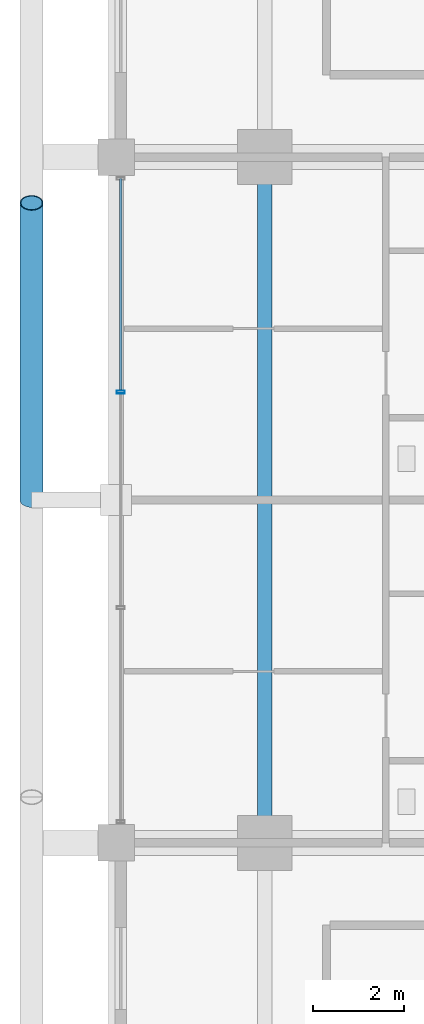
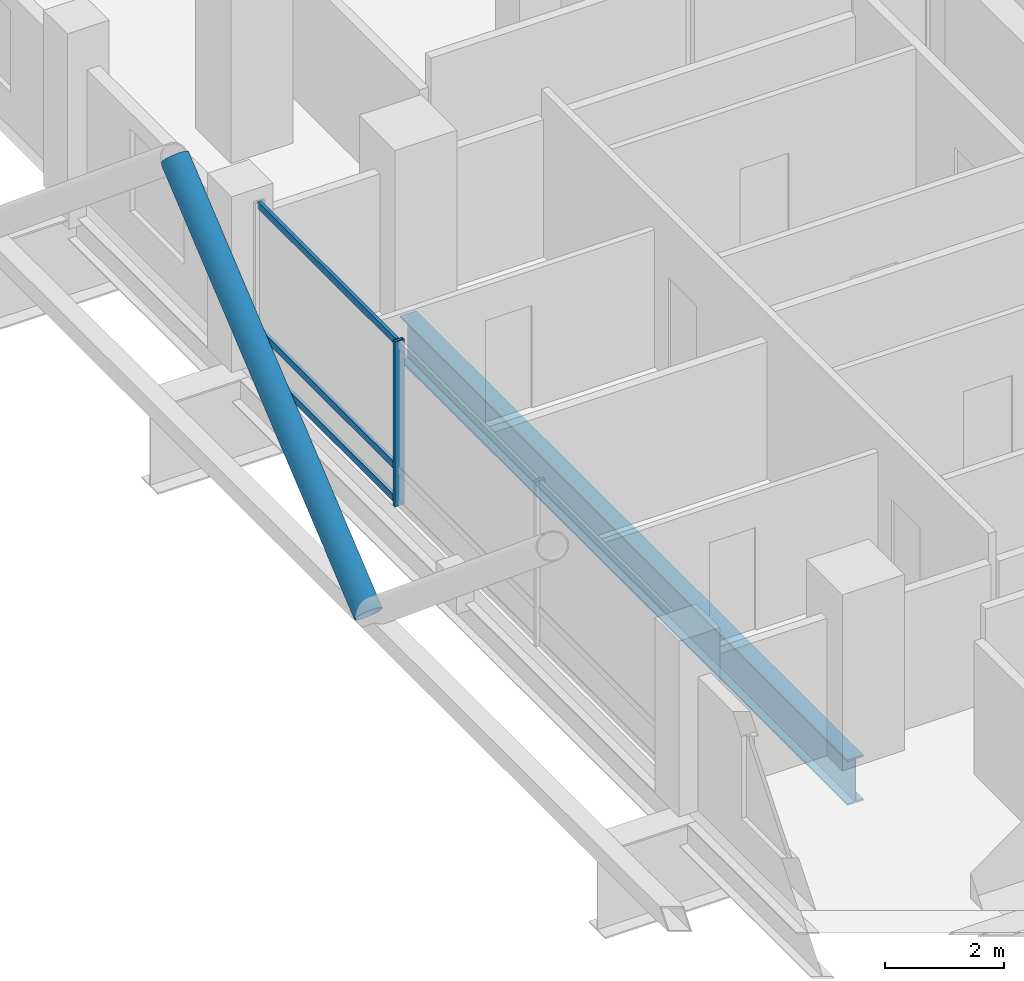
# One storey, part 5 of 21: 5 members, 1 beam, 1 element without a shape of its own.
"""IFC4 building model written with IfcOpenShell, lengths in metres."""

from ifc_helpers import new_model, si_unit, direction, frame, origin, origin_2d, place, context, subcontext, project, spatial, hollow_rectangle, hollow_circle, i_section, extrude, material, layer, layer_set, material_profile, profile_set, type_object, element, aggregate, save


model = new_model("IFC4")

# Units and contexts
model_context = context("Model", 3, precision=1e-05, world=origin(), true_north=direction((0.0, 1.0)))
body_context = subcontext(model_context, "Body", "Model", "MODEL_VIEW")
ifc_project = project(units=[si_unit("LENGTHUNIT", "METRE"), si_unit("AREAUNIT", "SQUARE_METRE"), si_unit("VOLUMEUNIT", "CUBIC_METRE"), si_unit("PLANEANGLEUNIT", "RADIAN"), si_unit("MASSUNIT", "GRAM", prefix="KILO")], contexts=[model_context])

# Site, building, storey
site_placement = place(None, origin())
site = spatial("IfcSite", under=ifc_project, at=site_placement, CompositionType="ELEMENT")
building_placement = place(site_placement, origin())
building = spatial("IfcBuilding", under=site, at=building_placement, Name="Barlavira Tower and Art Museum", CompositionType="ELEMENT")
storey_placement = place(building_placement, frame((0.0, 0.0, 99.0)))
storey = spatial("IfcBuildingStorey", under=building, at=storey_placement, Name="L24", CompositionType="ELEMENT", Elevation=99.0)

# Curtain wall, members
ifc_material_1 = material(Name="Low-iron coastal laminated glass", Category="glass")
ifc_layer = layer(ifc_material_1, 0.18994140625, Name="Low-iron coastal laminated glass")
ifc_layer_set = layer_set([ifc_layer], Name="Low-iron coastal laminated glass")
curtain_wall_type = type_object("IfcCurtainWallType", Name="Pale-Metal Unitised Curtain Wall Zone 2", PredefinedType="NOTDEFINED", material=ifc_layer_set)
curtain_wall_placement = place(storey_placement, origin())
curtain_wall = element("IfcCurtainWall", 1, at=curtain_wall_placement, inside=storey, type_object=curtain_wall_type, Name="L24 Curtain Wall CW2-L24-W-B3", PredefinedType="NOTDEFINED")
ifc_material_2 = material(Name="Pale anodised aluminium", Category="aluminium")
ifc_material_profile_1 = material_profile(ifc_material_2, hollow_rectangle(XDim=0.06494140625, YDim=0.179931640625, WallThickness=0.00390625, at=origin_2d()), Name="ALU-MULL 65x180x4")
ifc_profile_set_1 = profile_set([ifc_material_profile_1], Name="Pale anodised aluminium")
member_type_1 = type_object("IfcMemberType", Name="Curtain Wall Pale-Metal Mullion 65x180", PredefinedType="MULLION", material=ifc_profile_set_1)
member_1_placement = place(storey_placement, frame((-20.14990234375, 2.360107421875, 0.0), z_axis=(0.0, 0.0, 1.0), x_axis=(0.0, -1.0, 0.0)))
member_1 = element("IfcMember", 2, at=member_1_placement, type_object=member_type_1, Name="CW2-L24-W-B3 Mullion 1", PredefinedType="MULLION", context=body_context, shape_type="SweptSolid", body=[
    extrude(hollow_rectangle(XDim=0.06494140625, YDim=0.179931640625, WallThickness=0.00390625, at=origin_2d()), origin(), (0.0, 0.0, 1.0), 3.3798828125),
])
ifc_material_profile_2 = material_profile(ifc_material_2, hollow_rectangle(XDim=0.06494140625, YDim=0.139892578125, WallThickness=0.00390625, at=origin_2d()), Name="ALU-TRAN 65x140x4")
ifc_profile_set_2 = profile_set([ifc_material_profile_2], Name="Pale anodised aluminium")
member_type_2 = type_object("IfcMemberType", Name="Curtain Wall Pale-Metal Transom 65x140", PredefinedType="USERDEFINED", material=ifc_profile_set_2)
member_2_placement = place(storey_placement, frame((-20.14990234375, 7.034912109375, 0.070068359375), z_axis=(0.0, -1.0, 0.0), x_axis=(1.0, 0.0, 0.0)))
member_2 = element("IfcMember", 3, at=member_2_placement, type_object=member_type_2, Name="CW2-L24-W-B3 Transom 0.1", ObjectType="TRANSOM", PredefinedType="USERDEFINED", context=body_context, shape_type="SweptSolid", body=[
    extrude(hollow_rectangle(XDim=0.06494140625, YDim=0.139892578125, WallThickness=0.00390625, at=origin_2d()), origin(), (0.0, 0.0, 1.0), 4.6298828125),
])
member_3_placement = place(storey_placement, frame((-20.14990234375, 7.034912109375, 0.743896484375), z_axis=(0.0, -1.0, 0.0), x_axis=(1.0, 0.0, 0.0)))
member_3 = element("IfcMember", 4, at=member_3_placement, type_object=member_type_2, Name="CW2-L24-W-B3 Transom 0.2", ObjectType="TRANSOM", PredefinedType="USERDEFINED", context=body_context, shape_type="SweptSolid", body=[
    extrude(hollow_rectangle(XDim=0.06494140625, YDim=0.139892578125, WallThickness=0.00390625, at=origin_2d()), origin(), (0.0, 0.0, 1.0), 4.6298828125),
])
member_4_placement = place(storey_placement, frame((-20.14990234375, 7.034912109375, 3.31005859375), z_axis=(0.0, -1.0, 0.0), x_axis=(1.0, 0.0, 0.0)))
member_4 = element("IfcMember", 5, at=member_4_placement, type_object=member_type_2, Name="CW2-L24-W-B3 Transom 0.3", ObjectType="TRANSOM", PredefinedType="USERDEFINED", context=body_context, shape_type="SweptSolid", body=[
    extrude(hollow_rectangle(XDim=0.06494140625, YDim=0.139892578125, WallThickness=0.00390625, at=origin_2d()), origin(), (0.0, 0.0, 1.0), 4.6298828125),
])
aggregate(curtain_wall, [member_1, member_2, member_3, member_4])

# Member
ifc_material_3 = material(Name="Steel S355", Category="steel")
ifc_material_profile_3 = material_profile(ifc_material_3, hollow_circle(Radius=0.25390625, WallThickness=0.022216796875, at=origin_2d()), Name="CHS 508.0x22.2")
ifc_profile_set_3 = profile_set([ifc_material_profile_3], Name="Steel S355")
member_type_3 = type_object("IfcMemberType", Name="Pale-Metal Exoskeleton Diagrid Tube CHS 508x22 Steel S355", PredefinedType="BRACE", material=ifc_profile_set_3)
member_5_placement = place(storey_placement, frame((-22.10009765625, 0.0, -0.1201171875), z_axis=(0.0, 0.76918185268, 0.639029950399), x_axis=(-1.0, 0.0, 0.0)))
element("IfcMember", 6, at=member_5_placement, inside=storey, type_object=member_type_3, Name="L24 Exoskeleton Diagrid Tube W", PredefinedType="BRACE", context=body_context, shape_type="SweptSolid", body=[
    extrude(hollow_circle(Radius=0.25390625, WallThickness=0.022216796875, at=origin_2d()), origin(), (0.0, 0.0, 1.0), 8.450439453125),
])

# Beam
ifc_material_profile_4 = material_profile(ifc_material_3, i_section(OverallWidth=0.30908203125, OverallDepth=0.931884765625, WebThickness=0.01953125, FlangeThickness=0.034423828125, at=origin_2d()), Name="W920x313.0")
ifc_profile_set_4 = profile_set([ifc_material_profile_4], Name="Steel S355")
beam_type = type_object("IfcBeamType", Name="Setback Ring Girder W920x313 Steel S355", PredefinedType="BEAM", material=ifc_profile_set_4)
beam_placement = place(storey_placement, frame((-17.0, -7.5, -0.76611328125), z_axis=(0.0, 1.0, 0.0), x_axis=(-1.0, 0.0, 0.0)))
element("IfcBeam", 7, at=beam_placement, inside=storey, type_object=beam_type, Name="L24 Girder M-W2", PredefinedType="BEAM", context=body_context, shape_type="SweptSolid", body=[
    extrude(i_section(OverallWidth=0.30908203125, OverallDepth=0.931884765625, WebThickness=0.01953125, FlangeThickness=0.034423828125, at=origin_2d()), origin(), (0.0, 0.0, 1.0), 15.0),
])

save(model, "model.ifc")
